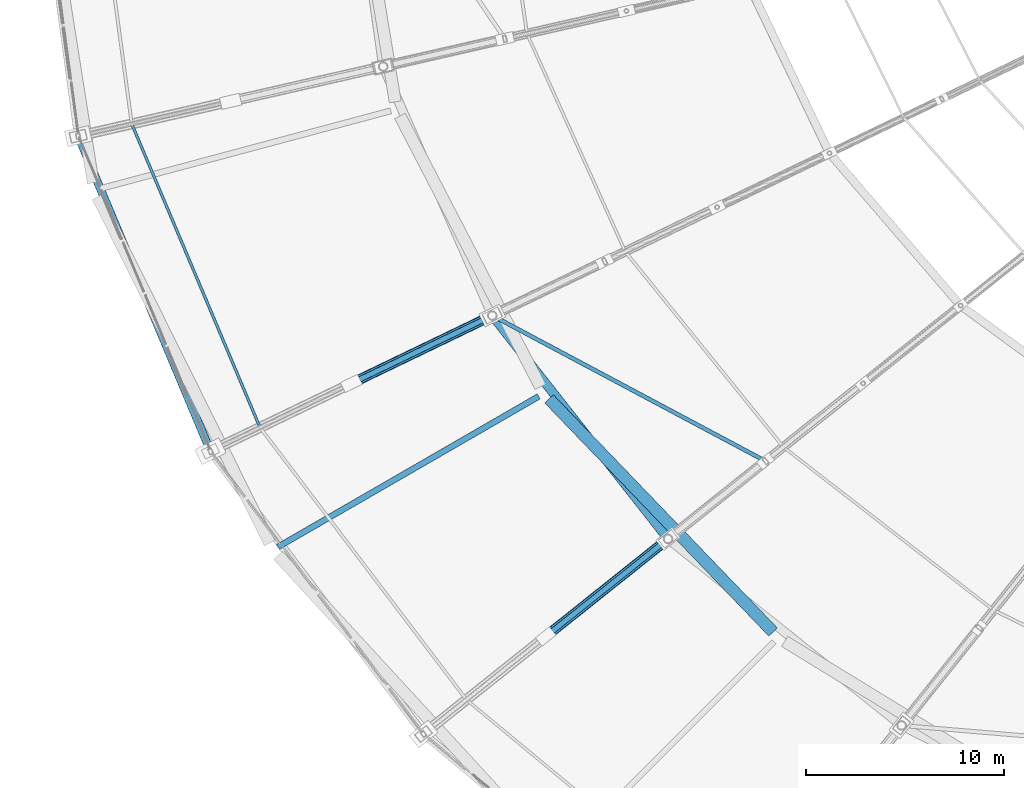
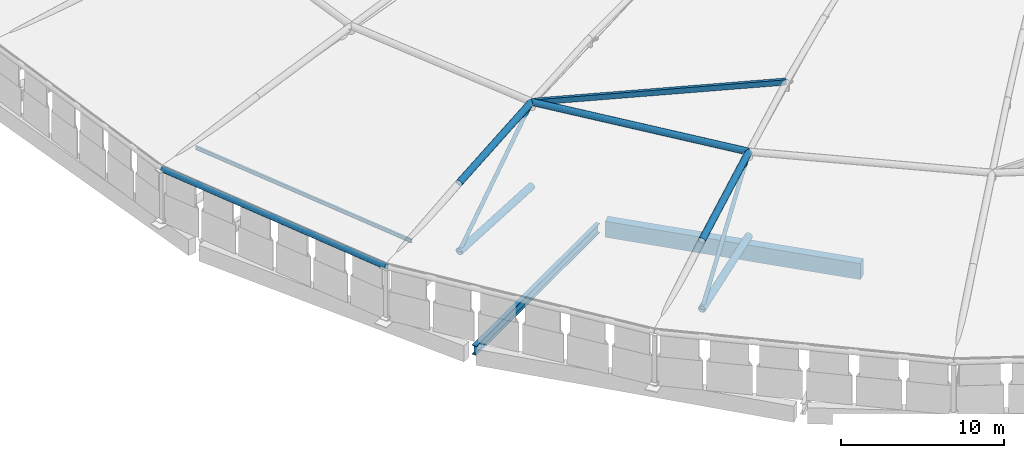
# One storey, part 7 of 108: 10 members, 2 beams.
"""IFC4 building model written with IfcOpenShell, lengths in metres."""

from ifc_helpers import new_model, si_unit, direction, frame, origin, origin_2d, place, context, subcontext, project, spatial, rectangle, hollow_rectangle, hollow_circle, i_section, extrude, material, material_profile, profile_set, type_object, element, save


model = new_model("IFC4")

# Units and contexts
model_context = context("Model", 3, precision=1e-05, world=origin(), true_north=direction((0.0, 1.0)))
body_context = subcontext(model_context, "Body", "Model", "MODEL_VIEW")
ifc_project = project(units=[si_unit("LENGTHUNIT", "METRE"), si_unit("AREAUNIT", "SQUARE_METRE"), si_unit("VOLUMEUNIT", "CUBIC_METRE"), si_unit("PLANEANGLEUNIT", "RADIAN"), si_unit("MASSUNIT", "GRAM", prefix="KILO")], contexts=[model_context])

# Site, building, storey
site_placement = place(None, origin())
site = spatial("IfcSite", under=ifc_project, at=site_placement, CompositionType="ELEMENT")
building_placement = place(site_placement, origin())
building = spatial("IfcBuilding", under=site, at=building_placement, Name="Zevraka Park Crest Stadium", CompositionType="ELEMENT")
storey_placement = place(building_placement, frame((0.0, 0.0, 29.39990234375)))
storey = spatial("IfcBuildingStorey", under=building, at=storey_placement, Name="RF", CompositionType="ELEMENT", Elevation=29.39990234375)

# Beam
ifc_material_1 = material(Name="Steel S355", Category="steel")
ifc_material_profile_1 = material_profile(ifc_material_1, i_section(OverallWidth=0.300048828125, OverallDepth=0.699951171875, WebThickness=0.01708984375, FlangeThickness=0.031982421875, at=origin_2d()), Name="HEB 700")
ifc_profile_set_1 = profile_set([ifc_material_profile_1], Name="Steel S355")
beam_type_1 = type_object("IfcBeamType", Name="BG06", PredefinedType="BEAM", material=ifc_profile_set_1)
beam_1_placement = place(storey_placement, frame((47.220947265625, 62.10009765625, -0.534912109375), z_axis=(-0.86601037836, -0.500026023896, 0.0), x_axis=(0.500026023896, -0.86601037836, 0.0)))
element("IfcBeam", 1, at=beam_1_placement, inside=storey, type_object=beam_type_1, Name="Radial Girder BG06 RF-BD-14", PredefinedType="BEAM", context=body_context, shape_type="SweptSolid", body=[
    extrude(i_section(OverallWidth=0.300048828125, OverallDepth=0.699951171875, WebThickness=0.01708984375, FlangeThickness=0.031982421875, at=origin_2d()), origin(), (0.0, 0.0, 1.0), 15.199462890625),
])

# Member
ifc_material_2 = material(Name="Steel S355", Category="steel")
ifc_material_profile_2 = material_profile(ifc_material_2, i_section(OverallWidth=0.135009765625, OverallDepth=0.27001953125, WebThickness=0.006591796875, FlangeThickness=0.01025390625, at=origin_2d()), Name="IPE 270")
ifc_profile_set_2 = profile_set([ifc_material_profile_2], Name="Steel S355")
member_type_1 = type_object("IfcMemberType", Name="PR04", PredefinedType="PURLIN", material=ifc_profile_set_2)
member_1_placement = place(storey_placement, frame((26.669921875, 75.862060546875, 4.302001953125), z_axis=(0.389065562853, -0.921210067141, 0.0), x_axis=(0.921210067141, 0.389065562853, 0.0)))
element("IfcMember", 2, at=member_1_placement, inside=storey, type_object=member_type_1, Name="Canopy Roof Purlin PR04 OUTER-16-1", PredefinedType="PURLIN", context=body_context, shape_type="SweptSolid", body=[
    extrude(i_section(OverallWidth=0.135009765625, OverallDepth=0.27001953125, WebThickness=0.006591796875, FlangeThickness=0.01025390625, at=origin_2d()), origin(), (0.0, 0.0, 1.0), 16.64013671875),
])

# Beam
ifc_material_3 = material(Name="Concrete C40/50", Category="concrete")
ifc_material_profile_3 = material_profile(ifc_material_3, rectangle(XDim=0.60009765625, YDim=1.199951171875, at=origin_2d()), Name="RC 1200x600")
ifc_profile_set_3 = profile_set([ifc_material_profile_3], Name="Concrete C40/50")
beam_type_2 = type_object("IfcBeamType", Name="RB01", PredefinedType="BEAM", material=ifc_profile_set_3)
beam_2_placement = place(storey_placement, frame((47.743896484375, 61.97607421875, -0.599853515625), z_axis=(0.692852617328, -0.721079226342, 0.0), x_axis=(0.721079226342, 0.692852617328, 0.0)))
element("IfcBeam", 3, at=beam_2_placement, inside=storey, type_object=beam_type_2, Name="Ring Beam RB01 RF-B-14", PredefinedType="BEAM", context=body_context, shape_type="SweptSolid", body=[
    extrude(rectangle(XDim=0.60009765625, YDim=1.199951171875, at=origin_2d()), origin(), (0.0, 0.0, 1.0), 16.329833984375),
])

# Members
ifc_material_4 = material(Name="Steel S355", Category="steel")
ifc_material_profile_4 = material_profile(ifc_material_4, hollow_circle(Radius=0.25390625, WallThickness=0.030029296875, at=origin_2d()), Name="CHS 508.0x30")
ifc_profile_set_4 = profile_set([ifc_material_profile_4], Name="Steel S355")
member_type_2 = type_object("IfcMemberType", Name="TC01", PredefinedType="CHORD", material=ifc_profile_set_4)
member_2_placement = place(storey_placement, frame((37.760009765625, 62.756103515625, 0.550048828125), z_axis=(0.900077183538, 0.433475689729, 0.044270645899), x_axis=(-0.4339010975, 0.90096050834, 0.0)))
element("IfcMember", 4, at=member_2_placement, inside=storey, type_object=member_type_2, Name="Roof Truss Bottom Chord TC01 T17-2", PredefinedType="CHORD", context=body_context, shape_type="SweptSolid", body=[
    extrude(hollow_circle(Radius=0.25390625, WallThickness=0.030029296875, at=origin_2d()), origin(), (0.0, 0.0, 1.0), 7.908203125),
])
member_3_placement = place(storey_placement, frame((47.576904296875, 49.97705078125, 0.550048828125), z_axis=(0.78112320317, 0.622805358585, 0.044272189769), x_axis=(-0.623416614884, 0.781889841529, 0.0)))
element("IfcMember", 5, at=member_3_placement, inside=storey, type_object=member_type_2, Name="Roof Truss Bottom Chord TC01 T18-2", PredefinedType="CHORD", context=body_context, shape_type="SweptSolid", body=[
    extrude(hollow_circle(Radius=0.25390625, WallThickness=0.030029296875, at=origin_2d()), origin(), (0.0, 0.0, 1.0), 7.907958984375),
])
ifc_material_5 = material(Name="Steel S355", Category="steel")
ifc_material_profile_5 = material_profile(ifc_material_5, hollow_circle(Radius=0.228515625, WallThickness=0.02490234375, at=origin_2d()), Name="CHS 457.0x25")
ifc_profile_set_5 = profile_set([ifc_material_profile_5], Name="Steel S355")
member_type_3 = type_object("IfcMemberType", Name="TC02", PredefinedType="CHORD", material=ifc_profile_set_5)
member_4_placement = place(storey_placement, frame((37.760009765625, 62.756103515625, 5.7001953125), z_axis=(0.885147609598, 0.426285631499, 0.186532221347), x_axis=(-0.4339010975, 0.90096050834, 0.0)))
element("IfcMember", 6, at=member_4_placement, inside=storey, type_object=member_type_3, Name="Roof Truss Top Chord TC02 T17-2", PredefinedType="CHORD", context=body_context, shape_type="SweptSolid", body=[
    extrude(hollow_circle(Radius=0.228515625, WallThickness=0.02490234375, at=origin_2d()), origin(), (0.0, 0.0, 1.0), 8.04150390625),
])
member_5_placement = place(storey_placement, frame((47.576904296875, 49.97705078125, 5.7001953125), z_axis=(0.768165836741, 0.612474187762, 0.186538512349), x_axis=(-0.623416614884, 0.781889841529, 0.0)))
element("IfcMember", 7, at=member_5_placement, inside=storey, type_object=member_type_3, Name="Roof Truss Top Chord TC02 T18-2", PredefinedType="CHORD", context=body_context, shape_type="SweptSolid", body=[
    extrude(hollow_circle(Radius=0.228515625, WallThickness=0.02490234375, at=origin_2d()), origin(), (0.0, 0.0, 1.0), 8.041259765625),
])
member_6_placement = place(storey_placement, frame((44.8779296875, 66.18408203125, 7.2001953125), z_axis=(0.618319416276, -0.785926904652, 0.0), x_axis=(0.785926904652, 0.618319416276, 0.0)))
element("IfcMember", 8, at=member_6_placement, inside=storey, type_object=member_type_3, Name="Roof Main Bowl-Rim Ring Chord TC02 17", PredefinedType="CHORD", context=body_context, shape_type="SweptSolid", body=[
    extrude(hollow_circle(Radius=0.228515625, WallThickness=0.02490234375, at=origin_2d()), origin(), (0.0, 0.0, 1.0), 14.35498046875),
])
ifc_material_6 = material(Name="Steel S355", Category="steel")
ifc_material_profile_6 = material_profile(ifc_material_6, hollow_circle(Radius=0.203125, WallThickness=0.02001953125, at=origin_2d()), Name="CHS 406.4x20")
ifc_profile_set_6 = profile_set([ifc_material_profile_6], Name="Steel S355")
member_type_4 = type_object("IfcMemberType", Name="TC03", PredefinedType="CHORD", material=ifc_profile_set_6)
member_7_placement = place(storey_placement, frame((23.964111328125, 75.243896484375, 4.0), z_axis=(0.386973466907, -0.922090850139, 0.0), x_axis=(0.922090850139, 0.386973466907, 0.0)))
element("IfcMember", 9, at=member_7_placement, inside=storey, type_object=member_type_4, Name="Roof Outer Canopy Ring Chord TC03 16", PredefinedType="CHORD", context=body_context, shape_type="SweptSolid", body=[
    extrude(hollow_circle(Radius=0.203125, WallThickness=0.02001953125, at=origin_2d()), origin(), (0.0, 0.0, 1.0), 17.259521484375),
])
ifc_material_7 = material(Name="Steel S355", Category="steel")
ifc_material_profile_7 = material_profile(ifc_material_7, hollow_circle(Radius=0.136474609375, WallThickness=0.012451171875, at=origin_2d()), Name="CHS 273.0x12.5")
ifc_profile_set_7 = profile_set([ifc_material_profile_7], Name="Steel S355")
member_type_5 = type_object("IfcMemberType", Name="WB01", PredefinedType="BRACE", material=ifc_profile_set_7)
member_8_placement = place(storey_placement, frame((37.760009765625, 62.756103515625, 0.550048828125), z_axis=(0.689274928497, 0.331953670761, 0.643977354736), x_axis=(-0.4339010975, 0.90096050834, 0.0)))
element("IfcMember", 10, at=member_8_placement, inside=storey, type_object=member_type_5, Name="Roof Truss Web Diagonal WB01 T17-2", PredefinedType="BRACE", context=body_context, shape_type="SweptSolid", body=[
    extrude(hollow_circle(Radius=0.136474609375, WallThickness=0.012451171875, at=origin_2d()), origin(), (0.0, 0.0, 1.0), 10.32666015625),
])
member_9_placement = place(storey_placement, frame((47.576904296875, 49.97705078125, 0.550048828125), z_axis=(0.598171895556, 0.476934573695, 0.643990524606), x_axis=(-0.623416614884, 0.781889841529, 0.0)))
element("IfcMember", 11, at=member_9_placement, inside=storey, type_object=member_type_5, Name="Roof Truss Web Diagonal WB01 T18-2", PredefinedType="BRACE", context=body_context, shape_type="SweptSolid", body=[
    extrude(hollow_circle(Radius=0.136474609375, WallThickness=0.012451171875, at=origin_2d()), origin(), (0.0, 0.0, 1.0), 10.326416015625),
])
ifc_material_8 = material(Name="Steel S355", Category="steel")
ifc_material_profile_8 = material_profile(ifc_material_8, hollow_rectangle(XDim=0.199951171875, YDim=0.39990234375, WallThickness=0.01611328125, at=origin_2d()), Name="RHS 400x200x16")
ifc_profile_set_8 = profile_set([ifc_material_profile_8], Name="Steel S355")
member_type_6 = type_object("IfcMemberType", Name="WB06", PredefinedType="BRACE", material=ifc_profile_set_8)
member_10_placement = place(storey_placement, frame((44.8779296875, 66.18408203125, 7.2001953125), z_axis=(0.880150340784, -0.468996242019, 0.073334184314), x_axis=(0.470262459562, 0.882526611002, 0.0)))
element("IfcMember", 12, at=member_10_placement, inside=storey, type_object=member_type_6, Name="Canopy Roof Wind Brace WB06 17", PredefinedType="BRACE", context=body_context, shape_type="SweptSolid", body=[
    extrude(hollow_rectangle(XDim=0.199951171875, YDim=0.39990234375, WallThickness=0.01611328125, at=origin_2d()), origin(), (0.0, 0.0, 1.0), 15.680419921875),
])

save(model, "model.ifc")
